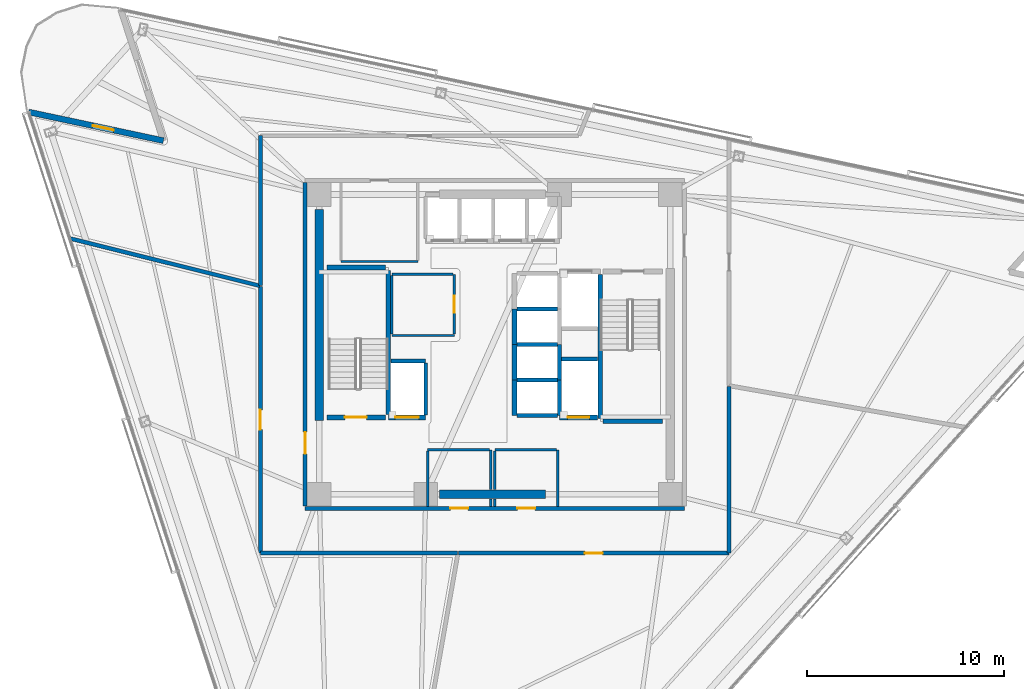
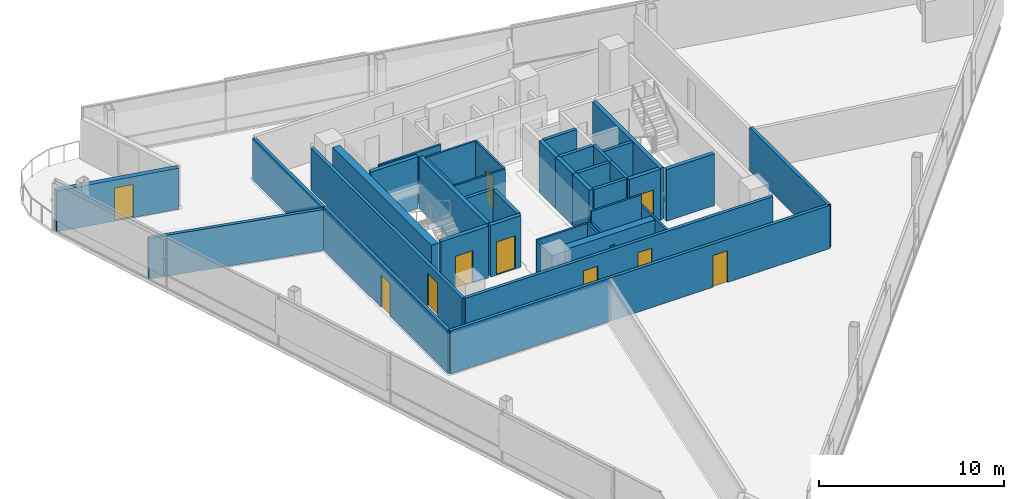
# One storey, part 10 of 16: 43 walls, 10 doors, 10 openings.
"""IFC4 building model written with IfcOpenShell, lengths in metres."""

from ifc_helpers import new_model, si_unit, direction, frame, frame_2d, origin, place, context, subcontext, project, spatial, rectangle, extrude, material, layer, layer_set, type_object, element, fill, save


model = new_model("IFC4")

# Units and contexts
model_context = context("Model", 3, precision=1e-05, world=origin(), true_north=direction((0.0, 1.0)))
body_context = subcontext(model_context, "Body", "Model", "MODEL_VIEW")
ifc_project = project(units=[si_unit("LENGTHUNIT", "METRE"), si_unit("AREAUNIT", "SQUARE_METRE"), si_unit("VOLUMEUNIT", "CUBIC_METRE"), si_unit("PLANEANGLEUNIT", "RADIAN"), si_unit("MASSUNIT", "GRAM", prefix="KILO")], contexts=[model_context])

# Site, building, storey
site_placement = place(None, origin())
site = spatial("IfcSite", under=ifc_project, at=site_placement, CompositionType="ELEMENT")
building_placement = place(site_placement, origin())
building = spatial("IfcBuilding", under=site, at=building_placement, Name="Tharavind Bronze Gate", CompositionType="ELEMENT")
storey_placement = place(building_placement, frame((0.0, 0.0, 211.25)))
storey = spatial("IfcBuildingStorey", under=building, at=storey_placement, Name="L54", CompositionType="ELEMENT", Elevation=211.25)

# Wall, opening, door
ifc_material_1 = material(Name="Concrete C40/50", Category="concrete")
ifc_layer_1 = layer(ifc_material_1, 0.300048828125)
ifc_layer_set_1 = layer_set([ifc_layer_1], Name="Concrete C40/50")
wall_type_1 = type_object("IfcWallType", Name="EXTERIOR SPANDREL WALL 300", PredefinedType="STANDARD", material=ifc_layer_set_1)
wall_1_placement = place(storey_placement, frame((-16.802734375, 10.329345703125, 0.0), z_axis=(0.0, 0.0, 1.0), x_axis=(-0.9781486268, 0.207906863497, 0.0)))
wall_1 = element("IfcWall", 1, at=wall_1_placement, inside=storey, type_object=wall_type_1, Name="L54 notch cheek wall 1B", PredefinedType="STANDARD", context=body_context, shape_type="SweptSolid", body=[
    extrude(rectangle(XDim=6.97998046875, YDim=0.300048828125, at=frame_2d((3.489990234375, 0.0))), origin(), (0.0, 0.0, 1.0), 2.715087890625),
])
opening_1_placement = place(wall_1_placement, frame((2.570068359375, 0.0, 0.0)))
opening_1 = element("IfcOpeningElement", 2, at=opening_1_placement, cuts=wall_1, Name="Opening ED04", PredefinedType="OPENING", context=body_context, shape_type="SweptSolid", body=[
    extrude(rectangle(XDim=1.10009765625, YDim=2.199951171875, at=frame_2d((0.550048828125, 1.10009765625))), frame((0.0, 0.15990234375, 0.0), z_axis=(0.0, -1.0, 0.0), x_axis=(1.0, 0.0, 0.0)), (0.0, 0.0, 1.0), 0.320048828125),
])
ifc_material_2 = material(Name="Bronze Aluminium & Toughened Glass", Category="aluminium")
door_type_1 = type_object("IfcDoorType", Name="TREE BALCONY ACCESS DOOR 1100X2200", OperationType="SINGLE_SWING_LEFT", PredefinedType="DOOR", material=ifc_material_2)
door_1_placement = place(opening_1_placement, origin())
door_1 = element("IfcDoor", 3, at=door_1_placement, inside=storey, type_object=door_type_1, Name="L54 tree balcony access door", OperationType="SINGLE_SWING_LEFT", OverallHeight=2.199951171875, OverallWidth=1.10009765625, PredefinedType="DOOR", context=body_context, shape_type="SweptSolid", body=[
    extrude(rectangle(XDim=1.10009765625, YDim=2.199951171875, at=frame_2d((0.550048828125, 1.10009765625))), frame((0.0, 0.02490234375, 0.0), z_axis=(0.0, -1.0, 0.0), x_axis=(1.0, 0.0, 0.0)), (0.0, 0.0, 1.0), 0.050048828125),
])
fill(opening_1, door_1)

# Wall, openings, doors
ifc_material_3 = material(Name="Aerated Concrete Block", Category="concrete")
ifc_layer_2 = layer(ifc_material_3, 0.199951171875)
ifc_layer_set_2 = layer_set([ifc_layer_2], Name="Aerated Concrete Block")
wall_type_2 = type_object("IfcWallType", Name="FIRE RATED PARTITION 200", PredefinedType="PARTITIONING", material=ifc_layer_set_2)
wall_2_placement = place(storey_placement, frame((-9.6201171875, -8.320068359375, 0.0), z_axis=(0.0, 0.0, 1.0), x_axis=(1.0, 0.0, 0.0)))
wall_2 = element("IfcWall", 4, at=wall_2_placement, inside=storey, type_object=wall_type_2, Name="L54 south core corridor wall", PredefinedType="PARTITIONING", context=body_context, shape_type="SweptSolid", body=[
    extrude(rectangle(XDim=19.240234375, YDim=0.199951171875, at=frame_2d((9.6201171875, 0.0))), origin(), (0.0, 0.0, 1.0), 2.864990234375),
])
opening_2_placement = place(wall_2_placement, frame((7.3701171875, 0.0, 0.0)))
opening_2 = element("IfcOpeningElement", 5, at=opening_2_placement, cuts=wall_2, Name="Opening ID07", PredefinedType="OPENING", context=body_context, shape_type="SweptSolid", body=[
    extrude(rectangle(XDim=0.89990234375, YDim=2.10009765625, at=frame_2d((0.449951171875, 1.050048828125))), frame((0.0, 0.11009765625, 0.0), z_axis=(0.0, -1.0, 0.0), x_axis=(1.0, 0.0, 0.0)), (0.0, 0.0, 1.0), 0.219951171875),
])
opening_3_placement = place(wall_2_placement, frame((10.77001953125, 0.0, 0.0)))
opening_3 = element("IfcOpeningElement", 6, at=opening_3_placement, cuts=wall_2, Name="Opening ID07", PredefinedType="OPENING", context=body_context, shape_type="SweptSolid", body=[
    extrude(rectangle(XDim=0.89990234375, YDim=2.10009765625, at=frame_2d((0.449951171875, 1.050048828125))), frame((0.0, 0.11009765625, 0.0), z_axis=(0.0, -1.0, 0.0), x_axis=(1.0, 0.0, 0.0)), (0.0, 0.0, 1.0), 0.219951171875),
])
ifc_material_4 = material(Name="Galvanised Fire Steel", Category="steel")
door_type_2 = type_object("IfcDoorType", Name="PLANT AND RISER FIRE DOOR 900X2100", OperationType="SINGLE_SWING_LEFT", PredefinedType="DOOR", material=ifc_material_4)
door_2_placement = place(opening_2_placement, frame((0.89990234375, 0.0, 0.0), z_axis=(0.0, 0.0, 1.0), x_axis=(-1.0, 0.0, 0.0)))
door_2 = element("IfcDoor", 7, at=door_2_placement, inside=storey, type_object=door_type_2, Name="L54 Core Archive Store fire door", OperationType="SINGLE_SWING_LEFT", OverallHeight=2.10009765625, OverallWidth=0.89990234375, PredefinedType="DOOR", context=body_context, shape_type="SweptSolid", body=[
    extrude(rectangle(XDim=0.89990234375, YDim=2.10009765625, at=frame_2d((0.449951171875, 1.050048828125))), frame((0.0, 0.02490234375, 0.0), z_axis=(0.0, -1.0, 0.0), x_axis=(1.0, 0.0, 0.0)), (0.0, 0.0, 1.0), 0.050048828125),
])
fill(opening_2, door_2)
door_3_placement = place(opening_3_placement, frame((0.89990234375, 0.0, 0.0), z_axis=(0.0, 0.0, 1.0), x_axis=(-1.0, 0.0, 0.0)))
door_3 = element("IfcDoor", 8, at=door_3_placement, inside=storey, type_object=door_type_2, Name="L54 Core Server Room fire door", OperationType="SINGLE_SWING_LEFT", OverallHeight=2.10009765625, OverallWidth=0.89990234375, PredefinedType="DOOR", context=body_context, shape_type="SweptSolid", body=[
    extrude(rectangle(XDim=0.89990234375, YDim=2.10009765625, at=frame_2d((0.449951171875, 1.050048828125))), frame((0.0, 0.02490234375, 0.0), z_axis=(0.0, -1.0, 0.0), x_axis=(1.0, 0.0, 0.0)), (0.0, 0.0, 1.0), 0.050048828125),
])
fill(opening_3, door_3)

# Wall, opening, door
wall_3_placement = place(storey_placement, frame((-9.6201171875, 8.199951171875, 0.0), z_axis=(0.0, 0.0, 1.0), x_axis=(0.0, -1.0, 0.0)))
wall_3 = element("IfcWall", 9, at=wall_3_placement, inside=storey, type_object=wall_type_2, Name="L54 west core corridor wall", PredefinedType="PARTITIONING", context=body_context, shape_type="SweptSolid", body=[
    extrude(rectangle(XDim=16.39990234375, YDim=0.199951171875, at=frame_2d((8.199951171875, 0.0))), origin(), (0.0, 0.0, 1.0), 2.764892578125),
])
opening_4_placement = place(wall_3_placement, frame((12.64990234375, 0.0, 0.0)))
opening_4 = element("IfcOpeningElement", 10, at=opening_4_placement, cuts=wall_3, Name="Opening ID01", PredefinedType="OPENING", context=body_context, shape_type="SweptSolid", body=[
    extrude(rectangle(XDim=1.10009765625, YDim=2.14990234375, at=frame_2d((0.550048828125, 1.074951171875))), frame((0.0, 0.11009765625, 0.0), z_axis=(0.0, -1.0, 0.0), x_axis=(1.0, 0.0, 0.0)), (0.0, 0.0, 1.0), 0.219951171875),
])
ifc_material_5 = material(Name="Fire-Rated Steel", Category="steel")
door_type_3 = type_object("IfcDoorType", Name="STAIR CORE FIRE DOOR 1100X2150", OperationType="SINGLE_SWING_LEFT", PredefinedType="DOOR", material=ifc_material_5)
door_4_placement = place(opening_4_placement, frame((1.10009765625, 0.0, 0.0), z_axis=(0.0, 0.0, 1.0), x_axis=(-1.0, 0.0, 0.0)))
door_4 = element("IfcDoor", 11, at=door_4_placement, inside=storey, type_object=door_type_3, Name="L54 south west stair lobby fire door", OperationType="SINGLE_SWING_LEFT", OverallHeight=2.14990234375, OverallWidth=1.10009765625, PredefinedType="DOOR", context=body_context, shape_type="SweptSolid", body=[
    extrude(rectangle(XDim=1.10009765625, YDim=2.14990234375, at=frame_2d((0.550048828125, 1.074951171875))), frame((0.0, 0.02490234375, 0.0), z_axis=(0.0, -1.0, 0.0), x_axis=(1.0, 0.0, 0.0)), (0.0, 0.0, 1.0), 0.050048828125),
])
fill(opening_4, door_4)

# Walls
wall_4_placement = place(storey_placement, frame((-11.8798828125, 10.579345703125, 0.0), z_axis=(0.0, 0.0, 1.0), x_axis=(0.0, -1.0, 0.0)))
element("IfcWall", 12, at=wall_4_placement, inside=storey, type_object=wall_type_2, Name="L54 Corporate Town-Hall Forum partition", PredefinedType="PARTITIONING", context=body_context, shape_type="SweptSolid", body=[
    extrude(rectangle(XDim=7.58544921875, YDim=0.199951171875, at=frame_2d((3.792724609375, 0.0))), origin(), (0.0, 0.0, 1.0), 2.764892578125),
])
wall_5_placement = place(storey_placement, frame((-11.910888671875, 2.9697265625, 0.0), z_axis=(0.0, 0.0, 1.0), x_axis=(-0.970297231684, 0.241915857657, 0.0)))
element("IfcWall", 13, at=wall_5_placement, inside=storey, type_object=wall_type_2, Name="L54 Corporate Town-Hall Forum partition", PredefinedType="PARTITIONING", context=body_context, shape_type="SweptSolid", body=[
    extrude(rectangle(XDim=9.91845703125, YDim=0.199951171875, at=frame_2d((4.959228515625, 0.0))), origin(), (0.0, 0.0, 1.0), 2.715087890625),
])
wall_6_placement = place(storey_placement, frame((-11.87939453125, -10.580078125, 0.0), z_axis=(0.0, 0.0, 1.0), x_axis=(1.0, 0.0, 0.0)))
element("IfcWall", 14, at=wall_6_placement, inside=storey, type_object=wall_type_2, Name="L54 Executive Research Library partition", PredefinedType="PARTITIONING", context=body_context, shape_type="SweptSolid", body=[
    extrude(rectangle(XDim=9.984130859375, YDim=0.199951171875, at=frame_2d((4.9921875, 0.0))), origin(), (0.0, 0.0, 1.0), 2.864990234375),
])

# Wall, opening, door
wall_7_placement = place(storey_placement, frame((-11.8798828125, 2.9423828125, 0.0), z_axis=(0.0, 0.0, 1.0), x_axis=(0.0, -1.0, 0.0)))
wall_7 = element("IfcWall", 15, at=wall_7_placement, inside=storey, type_object=wall_type_2, Name="L54 Executive Research Library partition", PredefinedType="PARTITIONING", context=body_context, shape_type="SweptSolid", body=[
    extrude(rectangle(XDim=13.521728515625, YDim=0.199951171875, at=frame_2d((6.7607421875, 0.0))), origin(), (0.0, 0.0, 1.0), 2.864990234375),
])
opening_5_placement = place(wall_7_placement, frame((6.260986328125, 0.0, 0.0)))
opening_5 = element("IfcOpeningElement", 16, at=opening_5_placement, cuts=wall_7, Name="Opening ID04", PredefinedType="OPENING", context=body_context, shape_type="SweptSolid", body=[
    extrude(rectangle(XDim=1.0, YDim=2.14990234375, at=frame_2d((0.5, 1.074951171875))), frame((0.0, 0.11009765625, 0.0), z_axis=(0.0, -1.0, 0.0), x_axis=(1.0, 0.0, 0.0)), (0.0, 0.0, 1.0), 0.219951171875),
])
ifc_material_6 = material(Name="Bronze Framed Acoustic Timber", Category="wood")
door_type_4 = type_object("IfcDoorType", Name="OFFICE TENANCY DOOR 1000X2150", OperationType="SINGLE_SWING_RIGHT", PredefinedType="DOOR", material=ifc_material_6)
door_5_placement = place(opening_5_placement, origin())
door_5 = element("IfcDoor", 17, at=door_5_placement, inside=storey, type_object=door_type_4, Name="L54 Executive Research Library door", OperationType="SINGLE_SWING_RIGHT", OverallHeight=2.14990234375, OverallWidth=1.0, PredefinedType="DOOR", context=body_context, shape_type="SweptSolid", body=[
    extrude(rectangle(XDim=1.0, YDim=2.14990234375, at=frame_2d((0.5, 1.074951171875))), frame((0.0, 0.02490234375, 0.0), z_axis=(0.0, -1.0, 0.0), x_axis=(1.0, 0.0, 0.0)), (0.0, 0.0, 1.0), 0.050048828125),
])
fill(opening_5, door_5)

wall_8_placement = place(storey_placement, frame((-1.844482421875, -10.580078125, 0.0), z_axis=(0.0, 0.0, 1.0), x_axis=(1.0, 0.0, 0.0)))
wall_8 = element("IfcWall", 18, at=wall_8_placement, inside=storey, type_object=wall_type_2, Name="L54 Staff Tea Servery partition", PredefinedType="PARTITIONING", context=body_context, shape_type="SweptSolid", body=[
    extrude(rectangle(XDim=13.723876953125, YDim=0.199951171875, at=frame_2d((6.86181640625, 0.0))), origin(), (0.0, 0.0, 1.0), 2.864990234375),
])
opening_6_placement = place(wall_8_placement, frame((6.412109375, 0.0, 0.0)))
opening_6 = element("IfcOpeningElement", 19, at=opening_6_placement, cuts=wall_8, Name="Opening ID07", PredefinedType="OPENING", context=body_context, shape_type="SweptSolid", body=[
    extrude(rectangle(XDim=0.89990234375, YDim=2.10009765625, at=frame_2d((0.449951171875, 1.050048828125))), frame((0.0, 0.11009765625, 0.0), z_axis=(0.0, -1.0, 0.0), x_axis=(1.0, 0.0, 0.0)), (0.0, 0.0, 1.0), 0.219951171875),
])
door_6_placement = place(opening_6_placement, origin())
door_6 = element("IfcDoor", 20, at=door_6_placement, inside=storey, type_object=door_type_2, Name="L54 Staff Tea Servery door", OperationType="SINGLE_SWING_LEFT", OverallHeight=2.10009765625, OverallWidth=0.89990234375, PredefinedType="DOOR", context=body_context, shape_type="SweptSolid", body=[
    extrude(rectangle(XDim=0.89990234375, YDim=2.10009765625, at=frame_2d((0.449951171875, 1.050048828125))), frame((0.0, 0.02490234375, 0.0), z_axis=(0.0, -1.0, 0.0), x_axis=(1.0, 0.0, 0.0)), (0.0, 0.0, 1.0), 0.050048828125),
])
fill(opening_6, door_6)

# Walls
wall_9_placement = place(storey_placement, frame((11.8798828125, -10.579345703125, 0.0), z_axis=(0.0, 0.0, 1.0), x_axis=(0.0, 1.0, 0.0)))
element("IfcWall", 21, at=wall_9_placement, inside=storey, type_object=wall_type_2, Name="L54 Staff Tea Servery partition", PredefinedType="PARTITIONING", context=body_context, shape_type="SweptSolid", body=[
    extrude(rectangle(XDim=8.454833984375, YDim=0.199951171875, at=frame_2d((4.2275390625, 0.0))), origin(), (0.0, 0.0, 1.0), 2.864990234375),
])
ifc_material_7 = material(Name="Metal Stud Gypsum Partition", Category="gypsum")
ifc_layer_3 = layer(ifc_material_7, 0.1201171875)
ifc_layer_set_3 = layer_set([ifc_layer_3], Name="Metal Stud Gypsum Partition")
wall_type_3 = type_object("IfcWallType", Name="INTERIOR PARTITION WALL 120", PredefinedType="PARTITIONING", material=ifc_layer_set_3)
wall_10_placement = place(storey_placement, frame((-5.219970703125, 0.449951171875, 0.0), z_axis=(0.0, 0.0, 1.0), x_axis=(1.0, 0.0, 0.0)))
element("IfcWall", 22, at=wall_10_placement, inside=storey, type_object=wall_type_3, Name="L54 Electrical & Telecom Store partition 1", PredefinedType="PARTITIONING", context=body_context, shape_type="SweptSolid", body=[
    extrude(rectangle(XDim=3.169921875, YDim=0.1201171875, at=frame_2d((1.5849609375, 0.0))), origin(), (0.0, 0.0, 1.0), 3.419921875),
])

# Wall, opening, door
wall_11_placement = place(storey_placement, frame((-2.050048828125, 0.514892578125, 0.0), z_axis=(0.0, 0.0, 1.0), x_axis=(0.0, 1.0, 0.0)))
wall_11 = element("IfcWall", 23, at=wall_11_placement, inside=storey, type_object=wall_type_3, Name="L54 Electrical & Telecom Store partition 2", PredefinedType="PARTITIONING", context=body_context, shape_type="SweptSolid", body=[
    extrude(rectangle(XDim=3.03515625, YDim=0.1201171875, at=frame_2d((1.517578125, 0.0))), origin(), (0.0, 0.0, 1.0), 3.419921875),
])
opening_7_placement = place(wall_11_placement, frame((1.092041015625, 0.0, 0.0)))
opening_7 = element("IfcOpeningElement", 24, at=opening_7_placement, cuts=wall_11, Name="Opening ID06", PredefinedType="OPENING", context=body_context, shape_type="SweptSolid", body=[
    extrude(rectangle(XDim=0.85009765625, YDim=2.10009765625, at=frame_2d((0.425048828125, 1.050048828125))), frame((0.0, 0.07005859375, 0.0), z_axis=(0.0, -1.0, 0.0), x_axis=(1.0, 0.0, 0.0)), (0.0, 0.0, 1.0), 0.1401171875),
])
ifc_material_8 = material(Name="Moisture-Resistant Timber", Category="wood")
door_type_5 = type_object("IfcDoorType", Name="BATHROOM PRIVACY DOOR 850X2100", OperationType="SINGLE_SWING_RIGHT", PredefinedType="DOOR", material=ifc_material_8)
door_7_placement = place(opening_7_placement, frame((0.85009765625, 0.0, 0.0), z_axis=(0.0, 0.0, 1.0), x_axis=(-1.0, 0.0, 0.0)))
door_7 = element("IfcDoor", 25, at=door_7_placement, inside=storey, type_object=door_type_5, Name="L54 Electrical & Telecom Store door", OperationType="SINGLE_SWING_RIGHT", OverallHeight=2.10009765625, OverallWidth=0.85009765625, PredefinedType="DOOR", context=body_context, shape_type="SweptSolid", body=[
    extrude(rectangle(XDim=0.85009765625, YDim=2.10009765625, at=frame_2d((0.425048828125, 1.050048828125))), frame((0.0, 0.02490234375, 0.0), z_axis=(0.0, -1.0, 0.0), x_axis=(1.0, 0.0, 0.0)), (0.0, 0.0, 1.0), 0.050048828125),
])
fill(opening_7, door_7)

# Walls
wall_12_placement = place(storey_placement, frame((-2.114990234375, 3.550048828125, 0.0), z_axis=(0.0, 0.0, 1.0), x_axis=(-1.0, 0.0, 0.0)))
element("IfcWall", 26, at=wall_12_placement, inside=storey, type_object=wall_type_3, Name="L54 Electrical & Telecom Store partition 3", PredefinedType="PARTITIONING", context=body_context, shape_type="SweptSolid", body=[
    extrude(rectangle(XDim=3.10498046875, YDim=0.1201171875, at=frame_2d((1.552490234375, 0.0))), origin(), (0.0, 0.0, 1.0), 3.419921875),
])
wall_13_placement = place(storey_placement, frame((-5.219970703125, 3.485107421875, 0.0), z_axis=(0.0, 0.0, 1.0), x_axis=(0.0, -1.0, 0.0)))
element("IfcWall", 27, at=wall_13_placement, inside=storey, type_object=wall_type_3, Name="L54 Electrical & Telecom Store partition 4", PredefinedType="PARTITIONING", context=body_context, shape_type="SweptSolid", body=[
    extrude(rectangle(XDim=2.97021484375, YDim=0.1201171875, at=frame_2d((1.485107421875, 0.0))), origin(), (0.0, 0.0, 1.0), 3.419921875),
])
wall_14_placement = place(storey_placement, frame((-0.199951171875, -8.215087890625, 0.0), z_axis=(0.0, 0.0, 1.0), x_axis=(0.0, 1.0, 0.0)))
element("IfcWall", 28, at=wall_14_placement, inside=storey, type_object=wall_type_3, Name="L54 Core Archive Store partition 2", PredefinedType="PARTITIONING", context=body_context, shape_type="SweptSolid", body=[
    extrude(rectangle(XDim=0.385009765625, YDim=0.1201171875, at=frame_2d((0.1923828125, 0.0))), origin(), (0.0, 0.0, 1.0), 2.715087890625),
])
wall_15_placement = place(storey_placement, frame((-0.199951171875, -7.3701171875, 0.0), z_axis=(0.0, 0.0, 1.0), x_axis=(0.0, 1.0, 0.0)))
element("IfcWall", 29, at=wall_15_placement, inside=storey, type_object=wall_type_3, Name="L54 Core Archive Store partition 2", PredefinedType="PARTITIONING", context=body_context, shape_type="SweptSolid", body=[
    extrude(rectangle(XDim=2.02001953125, YDim=0.1201171875, at=frame_2d((1.010009765625, 0.0))), origin(), (0.0, 0.0, 1.0), 2.715087890625),
])
wall_16_placement = place(storey_placement, frame((-0.264892578125, -5.35009765625, 0.0), z_axis=(0.0, 0.0, 1.0), x_axis=(-1.0, 0.0, 0.0)))
element("IfcWall", 30, at=wall_16_placement, inside=storey, type_object=wall_type_3, Name="L54 Core Archive Store partition 3", PredefinedType="PARTITIONING", context=body_context, shape_type="SweptSolid", body=[
    extrude(rectangle(XDim=3.135009765625, YDim=0.1201171875, at=frame_2d((1.5673828125, 0.0))), origin(), (0.0, 0.0, 1.0), 2.715087890625),
])
wall_17_placement = place(storey_placement, frame((-3.39990234375, -5.4150390625, 0.0), z_axis=(0.0, 0.0, 1.0), x_axis=(0.0, -1.0, 0.0)))
element("IfcWall", 31, at=wall_17_placement, inside=storey, type_object=wall_type_3, Name="L54 Core Archive Store partition 4", PredefinedType="PARTITIONING", context=body_context, shape_type="SweptSolid", body=[
    extrude(rectangle(XDim=2.800048828125, YDim=0.1201171875, at=frame_2d((1.39990234375, 0.0))), origin(), (0.0, 0.0, 1.0), 2.715087890625),
])
wall_18_placement = place(storey_placement, frame((3.199951171875, -8.215087890625, 0.0), z_axis=(0.0, 0.0, 1.0), x_axis=(0.0, 1.0, 0.0)))
element("IfcWall", 32, at=wall_18_placement, inside=storey, type_object=wall_type_3, Name="L54 Core Server Room partition 2", PredefinedType="PARTITIONING", context=body_context, shape_type="SweptSolid", body=[
    extrude(rectangle(XDim=2.864990234375, YDim=0.1201171875, at=frame_2d((1.4326171875, 0.0))), origin(), (0.0, 0.0, 1.0), 2.715087890625),
])
wall_19_placement = place(storey_placement, frame((3.135009765625, -5.35009765625, 0.0), z_axis=(0.0, 0.0, 1.0), x_axis=(-1.0, 0.0, 0.0)))
element("IfcWall", 33, at=wall_19_placement, inside=storey, type_object=wall_type_3, Name="L54 Core Server Room partition 3", PredefinedType="PARTITIONING", context=body_context, shape_type="SweptSolid", body=[
    extrude(rectangle(XDim=3.135009765625, YDim=0.1201171875, at=frame_2d((1.5673828125, 0.0))), origin(), (0.0, 0.0, 1.0), 3.419921875),
])
wall_20_placement = place(storey_placement, frame((0.0, -5.4150390625, 0.0), z_axis=(0.0, 0.0, 1.0), x_axis=(0.0, -1.0, 0.0)))
element("IfcWall", 34, at=wall_20_placement, inside=storey, type_object=wall_type_3, Name="L54 Core Server Room partition 4", PredefinedType="PARTITIONING", context=body_context, shape_type="SweptSolid", body=[
    extrude(rectangle(XDim=1.955078125, YDim=0.1201171875, at=frame_2d((0.9775390625, 0.0))), origin(), (0.0, 0.0, 1.0), 2.715087890625),
])
wall_21_placement = place(storey_placement, frame((0.0, -7.830078125, 0.0), z_axis=(0.0, 0.0, 1.0), x_axis=(0.0, -1.0, 0.0)))
element("IfcWall", 35, at=wall_21_placement, inside=storey, type_object=wall_type_3, Name="L54 Core Server Room partition 4", PredefinedType="PARTITIONING", context=body_context, shape_type="SweptSolid", body=[
    extrude(rectangle(XDim=0.385009765625, YDim=0.1201171875, at=frame_2d((0.1923828125, 0.0))), origin(), (0.0, 0.0, 1.0), 2.715087890625),
])
wall_22_placement = place(storey_placement, frame((-7.800048828125, 4.199951171875, 0.0), z_axis=(0.0, 0.0, 1.0), x_axis=(1.0, 0.0, 0.0)))
element("IfcWall", 36, at=wall_22_placement, inside=storey, type_object=wall_type_3, Name="L54 Electrical Switch Room partition 1", PredefinedType="PARTITIONING", context=body_context, shape_type="SweptSolid", body=[
    extrude(rectangle(XDim=3.900146484375, YDim=0.1201171875, at=frame_2d((1.9501953125, 0.0))), origin(), (0.0, 0.0, 1.0), 3.419921875),
])
ifc_material_9 = material(Name="Concrete C50/60", Category="concrete")
ifc_layer_4 = layer(ifc_material_9, 0.25)
ifc_layer_set_4 = layer_set([ifc_layer_4], Name="Concrete C50/60")
wall_type_4 = type_object("IfcWallType", Name="RC CORE SHEAR WALL 250", PredefinedType="SHEAR", material=ifc_layer_set_4)
wall_23_placement = place(storey_placement, frame((-5.39990234375, -3.550048828125, 0.0), z_axis=(0.0, 0.0, 1.0), x_axis=(0.0, 1.0, 0.0)))
element("IfcWall", 37, at=wall_23_placement, inside=storey, type_object=wall_type_4, Name="L54 ST1 shaft east wall", PredefinedType="SHEAR", context=body_context, shape_type="SweptSolid", body=[
    extrude(rectangle(XDim=7.300048828125, YDim=0.25, at=frame_2d((3.64990234375, 0.0))), origin(), (0.0, 0.0, 1.0), 3.419921875),
])

# Wall, opening, door
wall_24_placement = place(storey_placement, frame((-8.5, -3.699951171875, 0.0), z_axis=(0.0, 0.0, 1.0), x_axis=(1.0, 0.0, 0.0)))
wall_24 = element("IfcWall", 38, at=wall_24_placement, inside=storey, type_object=wall_type_4, Name="L54 ST1 shaft south wall", PredefinedType="SHEAR", context=body_context, shape_type="SweptSolid", body=[
    extrude(rectangle(XDim=2.949951171875, YDim=0.25, at=frame_2d((1.47509765625, 0.0))), origin(), (0.0, 0.0, 1.0), 3.419921875),
])
opening_8_placement = place(wall_24_placement, frame((0.89990234375, 0.0, 0.0)))
opening_8 = element("IfcOpeningElement", 39, at=opening_8_placement, cuts=wall_24, Name="Opening ID01", PredefinedType="OPENING", context=body_context, shape_type="SweptSolid", body=[
    extrude(rectangle(XDim=1.10009765625, YDim=2.14990234375, at=frame_2d((0.550048828125, 1.074951171875))), frame((0.0, 0.135, 0.0), z_axis=(0.0, -1.0, 0.0), x_axis=(1.0, 0.0, 0.0)), (0.0, 0.0, 1.0), 0.27),
])
door_8_placement = place(opening_8_placement, origin())
door_8 = element("IfcDoor", 40, at=door_8_placement, inside=storey, type_object=door_type_3, Name="L54 exit stair ST1 fire door", OperationType="SINGLE_SWING_LEFT", OverallHeight=2.14990234375, OverallWidth=1.10009765625, PredefinedType="DOOR", context=body_context, shape_type="SweptSolid", body=[
    extrude(rectangle(XDim=1.10009765625, YDim=2.14990234375, at=frame_2d((0.550048828125, 1.074951171875))), frame((0.0, 0.02490234375, 0.0), z_axis=(0.0, -1.0, 0.0), x_axis=(1.0, 0.0, 0.0)), (0.0, 0.0, 1.0), 0.050048828125),
])
fill(opening_8, door_8)

# Walls
wall_25_placement = place(storey_placement, frame((-8.5, 3.89990234375, 0.0), z_axis=(0.0, 0.0, 1.0), x_axis=(1.0, 0.0, 0.0)))
element("IfcWall", 41, at=wall_25_placement, inside=storey, type_object=wall_type_4, Name="L54 ST1 shaft north wall", PredefinedType="SHEAR", context=body_context, shape_type="SweptSolid", body=[
    extrude(rectangle(XDim=2.949951171875, YDim=0.25, at=frame_2d((1.47509765625, 0.0))), origin(), (0.0, 0.0, 1.0), 3.419921875),
])
wall_26_placement = place(storey_placement, frame((5.35009765625, -3.75, 0.0), z_axis=(0.0, 0.0, 1.0), x_axis=(0.0, 1.0, 0.0)))
element("IfcWall", 42, at=wall_26_placement, inside=storey, type_object=wall_type_4, Name="L54 ST2 shaft west wall", PredefinedType="SHEAR", context=body_context, shape_type="SweptSolid", body=[
    extrude(rectangle(XDim=7.300048828125, YDim=0.25, at=frame_2d((3.64990234375, 0.0))), origin(), (0.0, 0.0, 1.0), 3.419921875),
])
wall_27_placement = place(storey_placement, frame((5.5, -3.89990234375, 0.0), z_axis=(0.0, 0.0, 1.0), x_axis=(1.0, 0.0, 0.0)))
element("IfcWall", 43, at=wall_27_placement, inside=storey, type_object=wall_type_4, Name="L54 ST2 shaft south wall", PredefinedType="SHEAR", context=body_context, shape_type="SweptSolid", body=[
    extrude(rectangle(XDim=3.0, YDim=0.25, at=frame_2d((1.5, 0.0))), origin(), (0.0, 0.0, 1.0), 3.419921875),
])
for number, where, z_axis, x_axis, name in (
    (44, (1.0, -3.60009765625, 0.0), (0.0, 0.0, 1.0), (0.0, 1.0, 0.0), "L54 lift PL9 shaft front wall"),
    (45, (1.0, -1.800048828125, 0.0), (0.0, 0.0, 1.0), (0.0, 1.0, 0.0), "L54 lift PL10 shaft front wall"),
    (46, (1.0, 0.0, 0.0), (0.0, 0.0, 1.0), (0.0, 1.0, 0.0), "L54 lift PL11 shaft front wall"),
):
    element("IfcWall", number, at=place(storey_placement, frame(where, z_axis=z_axis, x_axis=x_axis)), inside=storey, type_object=wall_type_4, Name=name, PredefinedType="SHEAR", context=body_context, shape_type="SweptSolid", body=[
        extrude(rectangle(XDim=1.800048828125, YDim=0.25, at=frame_2d((0.89990234375, 0.0))), origin(), (0.0, 0.0, 1.0), 3.419921875),
    ])

# Wall, opening, door
wall_28_placement = place(storey_placement, frame((-5.39990234375, -3.699951171875, 0.0), z_axis=(0.0, 0.0, 1.0), x_axis=(1.0, 0.0, 0.0)))
wall_28 = element("IfcWall", 47, at=wall_28_placement, inside=storey, type_object=wall_type_4, Name="L54 lift FFL1 shaft front wall", PredefinedType="SHEAR", context=body_context, shape_type="SweptSolid", body=[
    extrude(rectangle(XDim=1.89990234375, YDim=0.25, at=frame_2d((0.949951171875, 0.0))), origin(), (0.0, 0.0, 1.0), 3.419921875),
])
opening_9_placement = place(wall_28_placement, frame((0.35009765625, 0.0, 0.0)))
opening_9 = element("IfcOpeningElement", 48, at=opening_9_placement, cuts=wall_28, Name="Opening LD02", PredefinedType="OPENING", context=body_context, shape_type="SweptSolid", body=[
    extrude(rectangle(XDim=1.199951171875, YDim=2.199951171875, at=frame_2d((0.60009765625, 1.10009765625))), frame((0.0, 0.135, 0.0), z_axis=(0.0, -1.0, 0.0), x_axis=(1.0, 0.0, 0.0)), (0.0, 0.0, 1.0), 0.27),
])
ifc_material_10 = material(Name="Brushed Stainless Steel", Category="steel")
door_type_6 = type_object("IfcDoorType", Name="FIREFIGHTING LIFT LANDING DOOR 1200X2200", OperationType="SLIDING_TO_RIGHT", PredefinedType="DOOR", material=ifc_material_10)
door_9_placement = place(opening_9_placement, origin())
door_9 = element("IfcDoor", 49, at=door_9_placement, inside=storey, type_object=door_type_6, Name="L54 lift FFL1 sliding landing door", OperationType="SLIDING_TO_RIGHT", OverallHeight=2.199951171875, OverallWidth=1.199951171875, PredefinedType="DOOR", context=body_context, shape_type="SweptSolid", body=[
    extrude(rectangle(XDim=1.199951171875, YDim=2.199951171875, at=frame_2d((0.60009765625, 1.10009765625))), frame((0.0, 0.02490234375, 0.0), z_axis=(0.0, -1.0, 0.0), x_axis=(1.0, 0.0, 0.0)), (0.0, 0.0, 1.0), 0.050048828125),
])
fill(opening_9, door_9)

wall_29_placement = place(storey_placement, frame((3.280029296875, -3.699951171875, 0.0), z_axis=(0.0, 0.0, 1.0), x_axis=(1.0, 0.0, 0.0)))
wall_29 = element("IfcWall", 50, at=wall_29_placement, inside=storey, type_object=wall_type_4, Name="L54 lift SVL1 shaft front wall", PredefinedType="SHEAR", context=body_context, shape_type="SweptSolid", body=[
    extrude(rectangle(XDim=1.93994140625, YDim=0.25, at=frame_2d((0.969970703125, 0.0))), origin(), (0.0, 0.0, 1.0), 3.419921875),
])
opening_10_placement = place(wall_29_placement, frame((0.419921875, 0.0, 0.0)))
opening_10 = element("IfcOpeningElement", 51, at=opening_10_placement, cuts=wall_29, Name="Opening LD01", PredefinedType="OPENING", context=body_context, shape_type="SweptSolid", body=[
    extrude(rectangle(XDim=1.10009765625, YDim=2.199951171875, at=frame_2d((0.550048828125, 1.10009765625))), frame((0.0, 0.135, 0.0), z_axis=(0.0, -1.0, 0.0), x_axis=(1.0, 0.0, 0.0)), (0.0, 0.0, 1.0), 0.27),
])
ifc_material_11 = material(Name="Brushed Bronze Stainless Steel", Category="steel")
door_type_7 = type_object("IfcDoorType", Name="LIFT LANDING SLIDING DOOR 1100X2200", OperationType="SLIDING_TO_LEFT", PredefinedType="DOOR", material=ifc_material_11)
door_10_placement = place(opening_10_placement, origin())
door_10 = element("IfcDoor", 52, at=door_10_placement, inside=storey, type_object=door_type_7, Name="L54 lift SVL1 sliding landing door", OperationType="SLIDING_TO_LEFT", OverallHeight=2.199951171875, OverallWidth=1.10009765625, PredefinedType="DOOR", context=body_context, shape_type="SweptSolid", body=[
    extrude(rectangle(XDim=1.10009765625, YDim=2.199951171875, at=frame_2d((0.550048828125, 1.10009765625))), frame((0.0, 0.02490234375, 0.0), z_axis=(0.0, -1.0, 0.0), x_axis=(1.0, 0.0, 0.0)), (0.0, 0.0, 1.0), 0.050048828125),
])
fill(opening_10, door_10)

# Walls
ifc_material_12 = material(Name="Concrete C60/75", Category="concrete")
ifc_layer_5 = layer(ifc_material_12, 0.449951171875)
ifc_layer_set_5 = layer_set([ifc_layer_5], Name="Concrete C60/75")
wall_type_5 = type_object("IfcWallType", Name="RC CORE SHEAR WALL 450", PredefinedType="SHEAR", material=ifc_layer_set_5)
wall_30_placement = place(storey_placement, frame((-2.800048828125, -7.60009765625, 0.0), z_axis=(0.0, 0.0, 1.0), x_axis=(1.0, 0.0, 0.0)))
element("IfcWall", 53, at=wall_30_placement, inside=storey, type_object=wall_type_5, Name="L54 south core shear wall", PredefinedType="SHEAR", context=body_context, shape_type="SweptSolid", body=[
    extrude(rectangle(XDim=5.380126953125, YDim=0.449951171875, at=frame_2d((2.68994140625, 0.0))), origin(), (0.0, 0.0, 1.0), 3.419921875),
])
wall_31_placement = place(storey_placement, frame((-8.89990234375, -3.85009765625, 0.0), z_axis=(0.0, 0.0, 1.0), x_axis=(0.0, 1.0, 0.0)))
element("IfcWall", 54, at=wall_31_placement, inside=storey, type_object=wall_type_5, Name="L54 west core shear wall", PredefinedType="SHEAR", context=body_context, shape_type="SweptSolid", body=[
    extrude(rectangle(XDim=10.7001953125, YDim=0.449951171875, at=frame_2d((5.35009765625, 0.0))), origin(), (0.0, 0.0, 1.0), 3.419921875),
])
ifc_layer_6 = layer(ifc_material_1, 0.199951171875)
ifc_layer_set_6 = layer_set([ifc_layer_6], Name="Concrete C40/50")
wall_type_6 = type_object("IfcWallType", Name="SHAFT ENCLOSURE WALL 200", PredefinedType="PARTITIONING", material=ifc_layer_set_6)
wall_32_placement = place(storey_placement, frame((3.280029296875, -3.60009765625, 0.0), z_axis=(0.0, 0.0, 1.0), x_axis=(0.0, 1.0, 0.0)))
element("IfcWall", 55, at=wall_32_placement, inside=storey, type_object=wall_type_6, Name="L54 lift PL9 shaft E enclosure wall", PredefinedType="PARTITIONING", context=body_context, shape_type="SweptSolid", body=[
    extrude(rectangle(XDim=1.800048828125, YDim=0.199951171875, at=frame_2d((0.89990234375, 0.0))), origin(), (0.0, 0.0, 1.0), 3.419921875),
])
for number, where, z_axis, x_axis, name in (
    (56, (1.1298828125, -3.60009765625, 0.0), (0.0, 0.0, 1.0), (1.0, 0.0, 0.0), "L54 lift PL9 shaft S enclosure wall"),
    (57, (1.1298828125, -1.800048828125, 0.0), (0.0, 0.0, 1.0), (1.0, 0.0, 0.0), "L54 lift PL9 shaft N enclosure wall"),
):
    element("IfcWall", number, at=place(storey_placement, frame(where, z_axis=z_axis, x_axis=x_axis)), inside=storey, type_object=wall_type_6, Name=name, PredefinedType="PARTITIONING", context=body_context, shape_type="SweptSolid", body=[
        extrude(rectangle(XDim=2.045166015625, YDim=0.199951171875, at=frame_2d((1.0224609375, 0.0))), origin(), (0.0, 0.0, 1.0), 3.419921875),
    ])
wall_33_placement = place(storey_placement, frame((3.280029296875, -1.800048828125, 0.0), z_axis=(0.0, 0.0, 1.0), x_axis=(0.0, 1.0, 0.0)))
element("IfcWall", 58, at=wall_33_placement, inside=storey, type_object=wall_type_6, Name="L54 lift PL10 shaft E enclosure wall", PredefinedType="PARTITIONING", context=body_context, shape_type="SweptSolid", body=[
    extrude(rectangle(XDim=1.800048828125, YDim=0.199951171875, at=frame_2d((0.89990234375, 0.0))), origin(), (0.0, 0.0, 1.0), 3.419921875),
])
for number, where, z_axis, x_axis, name in (
    (59, (1.1298828125, 0.0, 0.0), (0.0, 0.0, 1.0), (1.0, 0.0, 0.0), "L54 lift PL10 shaft N enclosure wall"),
    (60, (1.1298828125, 1.800048828125, 0.0), (0.0, 0.0, 1.0), (1.0, 0.0, 0.0), "L54 lift PL11 shaft N enclosure wall"),
):
    element("IfcWall", number, at=place(storey_placement, frame(where, z_axis=z_axis, x_axis=x_axis)), inside=storey, type_object=wall_type_6, Name=name, PredefinedType="PARTITIONING", context=body_context, shape_type="SweptSolid", body=[
        extrude(rectangle(XDim=2.045166015625, YDim=0.199951171875, at=frame_2d((1.0224609375, 0.0))), origin(), (0.0, 0.0, 1.0), 3.419921875),
    ])
wall_34_placement = place(storey_placement, frame((-5.27001953125, -0.85009765625, 0.0), z_axis=(0.0, 0.0, 1.0), x_axis=(1.0, 0.0, 0.0)))
element("IfcWall", 61, at=wall_34_placement, inside=storey, type_object=wall_type_6, Name="L54 lift FFL1 shaft N enclosure wall", PredefinedType="PARTITIONING", context=body_context, shape_type="SweptSolid", body=[
    extrude(rectangle(XDim=1.77001953125, YDim=0.199951171875, at=frame_2d((0.885009765625, 0.0))), origin(), (0.0, 0.0, 1.0), 3.419921875),
])
wall_35_placement = place(storey_placement, frame((-3.5, -3.570068359375, 0.0), z_axis=(0.0, 0.0, 1.0), x_axis=(0.0, 1.0, 0.0)))
element("IfcWall", 62, at=wall_35_placement, inside=storey, type_object=wall_type_6, Name="L54 lift FFL1 shaft E enclosure wall", PredefinedType="PARTITIONING", context=body_context, shape_type="SweptSolid", body=[
    extrude(rectangle(XDim=2.614990234375, YDim=0.199951171875, at=frame_2d((1.3076171875, 0.0))), origin(), (0.0, 0.0, 1.0), 3.419921875),
])
wall_36_placement = place(storey_placement, frame((3.385009765625, -0.75, 0.0), z_axis=(0.0, 0.0, 1.0), x_axis=(1.0, 0.0, 0.0)))
element("IfcWall", 63, at=wall_36_placement, inside=storey, type_object=wall_type_6, Name="L54 lift SVL1 shaft N enclosure wall", PredefinedType="PARTITIONING", context=body_context, shape_type="SweptSolid", body=[
    extrude(rectangle(XDim=1.8349609375, YDim=0.199951171875, at=frame_2d((0.91748046875, 0.0))), origin(), (0.0, 0.0, 1.0), 3.419921875),
])

save(model, "model.ifc")
